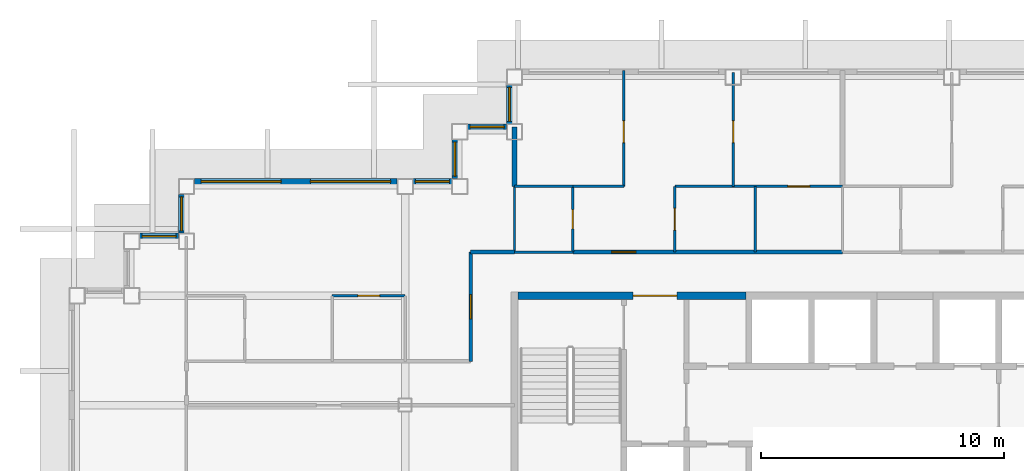
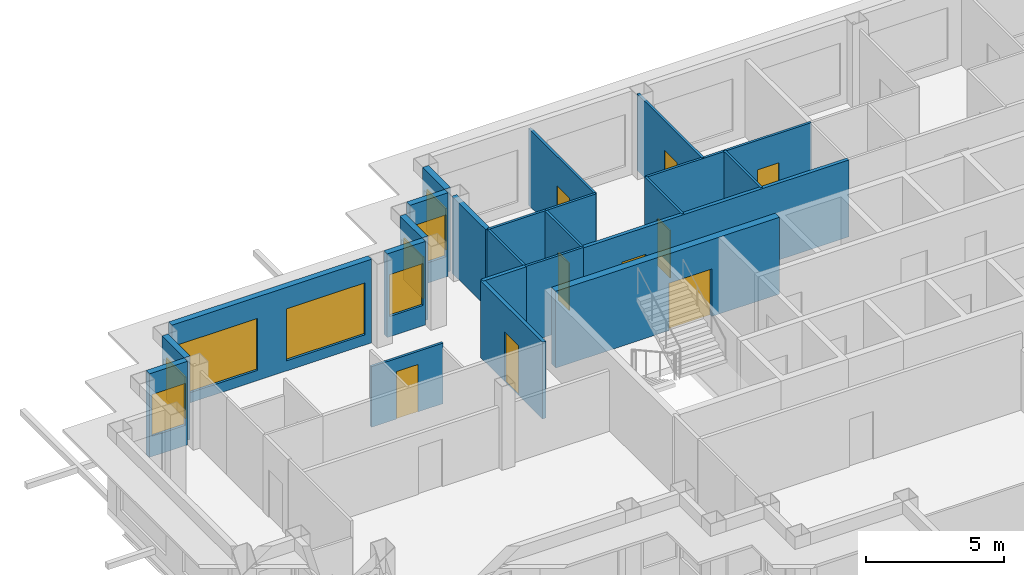
# One storey, part 6 of 12: 23 walls, 9 doors, 8 windows, 17 openings.
"""IFC4 building model written with IfcOpenShell, lengths in metres."""

from ifc_helpers import new_model, si_unit, direction, frame, frame_2d, origin, place, context, subcontext, project, spatial, rectangle, extrude, material, layer, layer_set, type_object, element, fill, save


model = new_model("IFC4")

# Units and contexts
model_context = context("Model", 3, precision=1e-05, world=origin(), true_north=direction((0.0, 1.0)))
body_context = subcontext(model_context, "Body", "Model", "MODEL_VIEW")
ifc_project = project(units=[si_unit("LENGTHUNIT", "METRE"), si_unit("AREAUNIT", "SQUARE_METRE"), si_unit("VOLUMEUNIT", "CUBIC_METRE"), si_unit("PLANEANGLEUNIT", "RADIAN"), si_unit("MASSUNIT", "GRAM", prefix="KILO")], contexts=[model_context])

# Site, building, storey
site_placement = place(None, origin())
site = spatial("IfcSite", under=ifc_project, at=site_placement, CompositionType="ELEMENT")
building_placement = place(site_placement, origin())
building = spatial("IfcBuilding", under=site, at=building_placement, Name="Caravel Reach Hotel and Residences", CompositionType="ELEMENT")
storey_placement = place(building_placement, frame((0.0, 0.0, 218.300048828125)))
storey = spatial("IfcBuildingStorey", under=building, at=storey_placement, Name="L55", CompositionType="ELEMENT", Elevation=218.300048828125)

# Walls
ifc_material_1 = material(Name="Gypsum board on steel stud", Category="steel")
ifc_layer_1 = layer(ifc_material_1, 0.10009765625)
ifc_layer_set_1 = layer_set([ifc_layer_1], Name="Bathroom pod wall 100 mm")
wall_type_1 = type_object("IfcWallType", Name="Bathroom pod wall 100 mm", PredefinedType="PARTITIONING", material=ifc_layer_set_1)
for number, where, z_axis, x_axis, name in (
    (1, (18.0, 33.300048828125, 0.0), (0.0, 0.0, 1.0), (1.0, 0.0, 0.0), "L55 wall w081"),
    (2, (18.0, 36.0, 0.0), (0.0, 0.0, 1.0), (1.0, 0.0, 0.0), "L55 wall w084"),
):
    element("IfcWall", number, at=place(storey_placement, frame(where, z_axis=z_axis, x_axis=x_axis)), inside=storey, type_object=wall_type_1, Name=name, PredefinedType="PARTITIONING", context=body_context, shape_type="SweptSolid", body=[
        extrude(rectangle(XDim=2.39990234375, YDim=0.10009765625, at=frame_2d((1.199951171875, 0.0))), origin(), (0.0, 0.0, 1.0), 3.39990234375),
    ])
wall_1_placement = place(storey_placement, frame((18.0, 33.301025390625, 0.0), z_axis=(0.0, 0.0, 1.0), x_axis=(0.0, 1.0, 0.0)))
element("IfcWall", 3, at=wall_1_placement, inside=storey, type_object=wall_type_1, Name="L55 wall w090", PredefinedType="PARTITIONING", context=body_context, shape_type="SweptSolid", body=[
    extrude(rectangle(XDim=2.698974609375, YDim=0.10009765625, at=frame_2d((1.349609375, 0.0))), origin(), (0.0, 0.0, 1.0), 3.39990234375),
])

# Wall, opening, door
wall_2_placement = place(storey_placement, frame((20.39990234375, 33.300048828125, 0.0), z_axis=(0.0, 0.0, 1.0), x_axis=(0.0, 1.0, 0.0)))
wall_2 = element("IfcWall", 4, at=wall_2_placement, inside=storey, type_object=wall_type_1, Name="L55 wall w091", PredefinedType="PARTITIONING", context=body_context, shape_type="SweptSolid", body=[
    extrude(rectangle(XDim=2.699951171875, YDim=0.10009765625, at=frame_2d((1.35009765625, 0.0))), origin(), (0.0, 0.0, 1.0), 3.39990234375),
])
opening_1_placement = place(wall_2_placement, frame((0.949951171875, 0.0, 0.0)))
opening_1 = element("IfcOpeningElement", 5, at=opening_1_placement, cuts=wall_2, Name="Opening D55-018", PredefinedType="OPENING", context=body_context, shape_type="SweptSolid", body=[
    extrude(rectangle(XDim=0.800048828125, YDim=2.10009765625, at=frame_2d((0.39990234375, 1.050048828125))), frame((0.0, 0.06005859375, 0.0), z_axis=(0.0, -1.0, 0.0), x_axis=(1.0, 0.0, 0.0)), (0.0, 0.0, 1.0), 0.1201171875),
])
ifc_material_2 = material(Name="Timber and steel door leaf", Category="steel")
door_type_1 = type_object("IfcDoorType", Name="Bathroom door 800 x 2100", OperationType="SINGLE_SWING_LEFT", PredefinedType="DOOR", material=ifc_material_2)
door_1_placement = place(opening_1_placement, origin())
door_1 = element("IfcDoor", 6, at=door_1_placement, inside=storey, type_object=door_type_1, Name="door D55-018", OperationType="SINGLE_SWING_RIGHT", OverallHeight=2.10009765625, OverallWidth=0.800048828125, PredefinedType="DOOR", context=body_context, shape_type="SweptSolid", body=[
    extrude(rectangle(XDim=0.800048828125, YDim=2.10009765625, at=frame_2d((0.39990234375, 1.050048828125))), frame((0.0, 0.02490234375, 0.0), z_axis=(0.0, -1.0, 0.0), x_axis=(1.0, 0.0, 0.0)), (0.0, 0.0, 1.0), 0.050048828125),
])
fill(opening_1, door_1)

ifc_material_3 = material(Name="Concrete C60", Category="concrete")
ifc_layer_2 = layer(ifc_material_3, 0.300048828125)
ifc_layer_set_2 = layer_set([ifc_layer_2], Name="Core wall 300 mm EI 120")
wall_type_2 = type_object("IfcWallType", Name="Core wall 300 mm EI 120", PredefinedType="SHEAR", material=ifc_layer_set_2)
wall_3_placement = place(storey_placement, frame((18.14990234375, 31.5, 0.0), z_axis=(0.0, 0.0, 1.0), x_axis=(1.0, 0.0, 0.0)))
wall_3 = element("IfcWall", 7, at=wall_3_placement, inside=storey, type_object=wall_type_2, Name="L55 core wall N1", PredefinedType="SHEAR", context=body_context, shape_type="SweptSolid", body=[
    extrude(rectangle(XDim=9.367919921875, YDim=0.300048828125, at=frame_2d((4.68408203125, 0.0))), origin(), (0.0, 0.0, 1.0), 3.39990234375),
])
opening_2_placement = place(wall_3_placement, frame((4.735595703125, 0.0, 0.0)))
opening_2 = element("IfcOpeningElement", 8, at=opening_2_placement, cuts=wall_3, Name="Opening D55-015", PredefinedType="OPENING", context=body_context, shape_type="SweptSolid", body=[
    extrude(rectangle(XDim=1.800048828125, YDim=2.10009765625, at=frame_2d((0.89990234375, 1.050048828125))), frame((0.0, 0.159912109375, 0.0), z_axis=(0.0, -1.0, 0.0), x_axis=(1.0, 0.0, 0.0)), (0.0, 0.0, 1.0), 0.320068359375),
])
ifc_material_4 = material(Name="Steel fire door leaf", Category="steel")
door_type_2 = type_object("IfcDoorType", Name="Fire lobby door pair 1800 x 2100 EI 90", OperationType="DOUBLE_DOOR_SINGLE_SWING", PredefinedType="DOOR", material=ifc_material_4)
door_2_placement = place(opening_2_placement, origin())
door_2 = element("IfcDoor", 9, at=door_2_placement, inside=storey, type_object=door_type_2, Name="lobby N door pair to corridor", OperationType="DOUBLE_DOOR_SINGLE_SWING", OverallHeight=2.10009765625, OverallWidth=1.800048828125, PredefinedType="DOOR", context=body_context, shape_type="SweptSolid", body=[
    extrude(rectangle(XDim=1.800048828125, YDim=2.10009765625, at=frame_2d((0.89990234375, 1.050048828125))), frame((0.0, 0.02490234375, 0.0), z_axis=(0.0, -1.0, 0.0), x_axis=(1.0, 0.0, 0.0)), (0.0, 0.0, 1.0), 0.050048828125),
])
fill(opening_2, door_2)

ifc_material_5 = material(Name="Gypsum board on steel stud, fire-rated", Category="steel")
ifc_layer_3 = layer(ifc_material_5, 0.14990234375)
ifc_layer_set_3 = layer_set([ifc_layer_3], Name="Corridor wall 150 mm EI 60")
wall_type_3 = type_object("IfcWallType", Name="Corridor wall 150 mm EI 60", PredefinedType="PARTITIONING", material=ifc_layer_set_3)
wall_4_placement = place(storey_placement, frame((20.39990234375, 33.300048828125, 0.0), z_axis=(0.0, 0.0, 1.0), x_axis=(1.0, 0.0, 0.0)))
wall_4 = element("IfcWall", 10, at=wall_4_placement, inside=storey, type_object=wall_type_3, Name="L55 wall w011", PredefinedType="PARTITIONING", context=body_context, shape_type="SweptSolid", body=[
    extrude(rectangle(XDim=11.10009765625, YDim=0.14990234375, at=frame_2d((5.550048828125, 0.0))), origin(), (0.0, 0.0, 1.0), 3.39990234375),
])
opening_3_placement = place(wall_4_placement, frame((1.60009765625, 0.0, 0.0)))
opening_3 = element("IfcOpeningElement", 11, at=opening_3_placement, cuts=wall_4, Name="Opening D55-017", PredefinedType="OPENING", context=body_context, shape_type="SweptSolid", body=[
    extrude(rectangle(XDim=1.0, YDim=2.199951171875, at=frame_2d((0.5, 1.10009765625))), frame((0.0, 0.0849609375, 0.0), z_axis=(0.0, -1.0, 0.0), x_axis=(1.0, 0.0, 0.0)), (0.0, 0.0, 1.0), 0.169921875),
])
ifc_material_6 = material(Name="Steel fire door leaf", Category="steel")
door_type_3 = type_object("IfcDoorType", Name="Flat entrance door 1000 x 2200 EI 60", OperationType="SINGLE_SWING_LEFT", PredefinedType="DOOR", material=ifc_material_6)
door_3_placement = place(opening_3_placement, origin())
door_3 = element("IfcDoor", 12, at=door_3_placement, inside=storey, type_object=door_type_3, Name="door D55-017", OperationType="SINGLE_SWING_LEFT", OverallHeight=2.199951171875, OverallWidth=1.0, PredefinedType="DOOR", context=body_context, shape_type="SweptSolid", body=[
    extrude(rectangle(XDim=1.0, YDim=2.199951171875, at=frame_2d((0.5, 1.10009765625))), frame((0.0, 0.02490234375, 0.0), z_axis=(0.0, -1.0, 0.0), x_axis=(1.0, 0.0, 0.0)), (0.0, 0.0, 1.0), 0.050048828125),
])
fill(opening_3, door_3)

# Wall
wall_5_placement = place(storey_placement, frame((16.199951171875, 33.300048828125, 0.0), z_axis=(0.0, 0.0, 1.0), x_axis=(1.0, 0.0, 0.0)))
element("IfcWall", 13, at=wall_5_placement, inside=storey, type_object=wall_type_3, Name="L55 wall w017", PredefinedType="PARTITIONING", context=body_context, shape_type="SweptSolid", body=[
    extrude(rectangle(XDim=1.799072265625, YDim=0.14990234375, at=frame_2d((0.8994140625, 0.0))), origin(), (0.0, 0.0, 1.0), 3.39990234375),
])

# Wall, opening, door
wall_6_placement = place(storey_placement, frame((16.199951171875, 28.801025390625, 0.0), z_axis=(0.0, 0.0, 1.0), x_axis=(0.0, 1.0, 0.0)))
wall_6 = element("IfcWall", 14, at=wall_6_placement, inside=storey, type_object=wall_type_3, Name="L55 wall w019", PredefinedType="PARTITIONING", context=body_context, shape_type="SweptSolid", body=[
    extrude(rectangle(XDim=4.4990234375, YDim=0.14990234375, at=frame_2d((2.24951171875, 0.0))), origin(), (0.0, 0.0, 1.0), 3.39990234375),
])
opening_4_placement = place(wall_6_placement, frame((1.74951171875, 0.0, 0.0)))
opening_4 = element("IfcOpeningElement", 15, at=opening_4_placement, cuts=wall_6, Name="Opening D55-029", PredefinedType="OPENING", context=body_context, shape_type="SweptSolid", body=[
    extrude(rectangle(XDim=1.0, YDim=2.199951171875, at=frame_2d((0.5, 1.10009765625))), frame((0.0, 0.0849609375, 0.0), z_axis=(0.0, -1.0, 0.0), x_axis=(1.0, 0.0, 0.0)), (0.0, 0.0, 1.0), 0.169921875),
])
door_4_placement = place(opening_4_placement, origin())
door_4 = element("IfcDoor", 16, at=door_4_placement, inside=storey, type_object=door_type_3, Name="door D55-029", OperationType="SINGLE_SWING_LEFT", OverallHeight=2.199951171875, OverallWidth=1.0, PredefinedType="DOOR", context=body_context, shape_type="SweptSolid", body=[
    extrude(rectangle(XDim=1.0, YDim=2.199951171875, at=frame_2d((0.5, 1.10009765625))), frame((0.0, 0.02490234375, 0.0), z_axis=(0.0, -1.0, 0.0), x_axis=(1.0, 0.0, 0.0)), (0.0, 0.0, 1.0), 0.050048828125),
])
fill(opening_4, door_4)

# Wall, opening, window
ifc_material_7 = material(Name="Insulated rainscreen wall, aluminium cladding", Category="aluminium")
ifc_layer_4 = layer(ifc_material_7, 0.25)
ifc_layer_set_4 = layer_set([ifc_layer_4], Name="EW1 Tower rainscreen wall")
wall_type_4 = type_object("IfcWallType", Name="EW1 Tower rainscreen wall", PredefinedType="SOLIDWALL", material=ifc_layer_set_4)
wall_7_placement = place(storey_placement, frame((17.800048828125, 40.175048828125, 0.0), z_axis=(0.0, 0.0, 1.0), x_axis=(0.0, -1.0, 0.0)))
wall_7 = element("IfcWall", 17, at=wall_7_placement, inside=storey, type_object=wall_type_4, Name="External wall L55 W12.1", PredefinedType="SOLIDWALL", context=body_context, shape_type="SweptSolid", body=[
    extrude(rectangle(XDim=1.60009765625, YDim=0.25, at=frame_2d((0.800048828125, 0.0))), origin(), (0.0, 0.0, 1.0), 3.699951171875),
])
opening_5_placement = place(wall_7_placement, frame((0.10009765625, 0.0, 0.89990234375)))
opening_5 = element("IfcOpeningElement", 18, at=opening_5_placement, cuts=wall_7, Name="Opening WN22", PredefinedType="OPENING", context=body_context, shape_type="SweptSolid", body=[
    extrude(rectangle(XDim=1.39990234375, YDim=1.85009765625, at=frame_2d((0.699951171875, 0.925048828125))), frame((0.0, 0.135009765625, 0.0), z_axis=(0.0, -1.0, 0.0), x_axis=(1.0, 0.0, 0.0)), (0.0, 0.0, 1.0), 0.27001953125),
])
ifc_material_8 = material(Name="Dark low-e glazing in black aluminium frame", Category="aluminium")
window_type_1 = type_object("IfcWindowType", Name="Residence bedroom window 1400 x 1850", PartitioningType="SINGLE_PANEL", PredefinedType="WINDOW", material=ifc_material_8)
window_1_placement = place(opening_5_placement, origin())
window_1 = element("IfcWindow", 19, at=window_1_placement, inside=storey, type_object=window_type_1, Name="Window L55 W12.1.1", OverallHeight=1.85009765625, OverallWidth=1.39990234375, PartitioningType="SINGLE_PANEL", PredefinedType="WINDOW", context=body_context, shape_type="SweptSolid", body=[
    extrude(rectangle(XDim=1.39990234375, YDim=1.85009765625, at=frame_2d((0.699951171875, 0.925048828125))), frame((0.0, 0.030029296875, 0.0), z_axis=(0.0, -1.0, 0.0), x_axis=(1.0, 0.0, 0.0)), (0.0, 0.0, 1.0), 0.06005859375),
])
fill(opening_5, window_1)

wall_8_placement = place(storey_placement, frame((17.675048828125, 38.449951171875, 0.0), z_axis=(0.0, 0.0, 1.0), x_axis=(-1.0, 0.0, 0.0)))
wall_8 = element("IfcWall", 20, at=wall_8_placement, inside=storey, type_object=wall_type_4, Name="External wall L55 N13.1", PredefinedType="SOLIDWALL", context=body_context, shape_type="SweptSolid", body=[
    extrude(rectangle(XDim=1.60009765625, YDim=0.25, at=frame_2d((0.800048828125, 0.0))), origin(), (0.0, 0.0, 1.0), 3.699951171875),
])
opening_6_placement = place(wall_8_placement, frame((0.10009765625, 0.0, 0.89990234375)))
opening_6 = element("IfcOpeningElement", 21, at=opening_6_placement, cuts=wall_8, Name="Opening WN22", PredefinedType="OPENING", context=body_context, shape_type="SweptSolid", body=[
    extrude(rectangle(XDim=1.39990234375, YDim=1.85009765625, at=frame_2d((0.699951171875, 0.925048828125))), frame((0.0, 0.135009765625, 0.0), z_axis=(0.0, -1.0, 0.0), x_axis=(1.0, 0.0, 0.0)), (0.0, 0.0, 1.0), 0.27001953125),
])
window_2_placement = place(opening_6_placement, origin())
window_2 = element("IfcWindow", 22, at=window_2_placement, inside=storey, type_object=window_type_1, Name="Window L55 N13.1.1", OverallHeight=1.85009765625, OverallWidth=1.39990234375, PartitioningType="SINGLE_PANEL", PredefinedType="WINDOW", context=body_context, shape_type="SweptSolid", body=[
    extrude(rectangle(XDim=1.39990234375, YDim=1.85009765625, at=frame_2d((0.699951171875, 0.925048828125))), frame((0.0, 0.030029296875, 0.0), z_axis=(0.0, -1.0, 0.0), x_axis=(1.0, 0.0, 0.0)), (0.0, 0.0, 1.0), 0.06005859375),
])
fill(opening_6, window_2)

wall_9_placement = place(storey_placement, frame((15.550048828125, 37.925048828125, 0.0), z_axis=(0.0, 0.0, 1.0), x_axis=(0.0, -1.0, 0.0)))
wall_9 = element("IfcWall", 23, at=wall_9_placement, inside=storey, type_object=wall_type_4, Name="External wall L55 W14.1", PredefinedType="SOLIDWALL", context=body_context, shape_type="SweptSolid", body=[
    extrude(rectangle(XDim=1.60009765625, YDim=0.25, at=frame_2d((0.800048828125, 0.0))), origin(), (0.0, 0.0, 1.0), 3.699951171875),
])
opening_7_placement = place(wall_9_placement, frame((0.10009765625, 0.0, 0.89990234375)))
opening_7 = element("IfcOpeningElement", 24, at=opening_7_placement, cuts=wall_9, Name="Opening WN22", PredefinedType="OPENING", context=body_context, shape_type="SweptSolid", body=[
    extrude(rectangle(XDim=1.39990234375, YDim=1.85009765625, at=frame_2d((0.699951171875, 0.925048828125))), frame((0.0, 0.135009765625, 0.0), z_axis=(0.0, -1.0, 0.0), x_axis=(1.0, 0.0, 0.0)), (0.0, 0.0, 1.0), 0.27001953125),
])
window_3_placement = place(opening_7_placement, origin())
window_3 = element("IfcWindow", 25, at=window_3_placement, inside=storey, type_object=window_type_1, Name="Window L55 W14.1.1", OverallHeight=1.85009765625, OverallWidth=1.39990234375, PartitioningType="SINGLE_PANEL", PredefinedType="WINDOW", context=body_context, shape_type="SweptSolid", body=[
    extrude(rectangle(XDim=1.39990234375, YDim=1.85009765625, at=frame_2d((0.699951171875, 0.925048828125))), frame((0.0, 0.030029296875, 0.0), z_axis=(0.0, -1.0, 0.0), x_axis=(1.0, 0.0, 0.0)), (0.0, 0.0, 1.0), 0.06005859375),
])
fill(opening_7, window_3)

wall_10_placement = place(storey_placement, frame((15.425048828125, 36.199951171875, 0.0), z_axis=(0.0, 0.0, 1.0), x_axis=(-1.0, 0.0, 0.0)))
wall_10 = element("IfcWall", 26, at=wall_10_placement, inside=storey, type_object=wall_type_4, Name="External wall L55 N15.1", PredefinedType="SOLIDWALL", context=body_context, shape_type="SweptSolid", body=[
    extrude(rectangle(XDim=1.60009765625, YDim=0.25, at=frame_2d((0.800048828125, 0.0))), origin(), (0.0, 0.0, 1.0), 3.699951171875),
])
opening_8_placement = place(wall_10_placement, frame((0.10009765625, 0.0, 0.89990234375)))
opening_8 = element("IfcOpeningElement", 27, at=opening_8_placement, cuts=wall_10, Name="Opening WN22", PredefinedType="OPENING", context=body_context, shape_type="SweptSolid", body=[
    extrude(rectangle(XDim=1.39990234375, YDim=1.85009765625, at=frame_2d((0.699951171875, 0.925048828125))), frame((0.0, 0.135009765625, 0.0), z_axis=(0.0, -1.0, 0.0), x_axis=(1.0, 0.0, 0.0)), (0.0, 0.0, 1.0), 0.27001953125),
])
window_4_placement = place(opening_8_placement, origin())
window_4 = element("IfcWindow", 28, at=window_4_placement, inside=storey, type_object=window_type_1, Name="Window L55 N15.1.1", OverallHeight=1.85009765625, OverallWidth=1.39990234375, PartitioningType="SINGLE_PANEL", PredefinedType="WINDOW", context=body_context, shape_type="SweptSolid", body=[
    extrude(rectangle(XDim=1.39990234375, YDim=1.85009765625, at=frame_2d((0.699951171875, 0.925048828125))), frame((0.0, 0.030029296875, 0.0), z_axis=(0.0, -1.0, 0.0), x_axis=(1.0, 0.0, 0.0)), (0.0, 0.0, 1.0), 0.06005859375),
])
fill(opening_8, window_4)

# Wall, openings, windows
wall_11_placement = place(storey_placement, frame((13.175048828125, 36.199951171875, 0.0), z_axis=(0.0, 0.0, 1.0), x_axis=(-1.0, 0.0, 0.0)))
wall_11 = element("IfcWall", 29, at=wall_11_placement, inside=storey, type_object=wall_type_4, Name="External wall L55 N15.2", PredefinedType="SOLIDWALL", context=body_context, shape_type="SweptSolid", body=[
    extrude(rectangle(XDim=8.35009765625, YDim=0.25, at=frame_2d((4.175048828125, 0.0))), origin(), (0.0, 0.0, 1.0), 3.699951171875),
])
opening_9_placement = place(wall_11_placement, frame((0.27490234375, 0.0, 0.449951171875)))
opening_9 = element("IfcOpeningElement", 30, at=opening_9_placement, cuts=wall_11, Name="Opening WN15", PredefinedType="OPENING", context=body_context, shape_type="SweptSolid", body=[
    extrude(rectangle(XDim=3.300048828125, YDim=2.300048828125, at=frame_2d((1.64990234375, 1.14990234375))), frame((0.0, 0.135009765625, 0.0), z_axis=(0.0, -1.0, 0.0), x_axis=(1.0, 0.0, 0.0)), (0.0, 0.0, 1.0), 0.27001953125),
])
opening_10_placement = place(wall_11_placement, frame((4.77490234375, 0.0, 0.449951171875)))
opening_10 = element("IfcOpeningElement", 31, at=opening_10_placement, cuts=wall_11, Name="Opening WN15", PredefinedType="OPENING", context=body_context, shape_type="SweptSolid", body=[
    extrude(rectangle(XDim=3.300048828125, YDim=2.300048828125, at=frame_2d((1.64990234375, 1.14990234375))), frame((0.0, 0.135009765625, 0.0), z_axis=(0.0, -1.0, 0.0), x_axis=(1.0, 0.0, 0.0)), (0.0, 0.0, 1.0), 0.27001953125),
])
ifc_material_9 = material(Name="Dark low-e glazing in black aluminium frame", Category="aluminium")
window_type_2 = type_object("IfcWindowType", Name="Residence living window 3300 x 2300", PartitioningType="SINGLE_PANEL", PredefinedType="WINDOW", material=ifc_material_9)
window_5_placement = place(opening_9_placement, origin())
window_5 = element("IfcWindow", 32, at=window_5_placement, inside=storey, type_object=window_type_2, Name="Window L55 N15.2.1", OverallHeight=2.300048828125, OverallWidth=3.300048828125, PartitioningType="SINGLE_PANEL", PredefinedType="WINDOW", context=body_context, shape_type="SweptSolid", body=[
    extrude(rectangle(XDim=3.300048828125, YDim=2.300048828125, at=frame_2d((1.64990234375, 1.14990234375))), frame((0.0, 0.030029296875, 0.0), z_axis=(0.0, -1.0, 0.0), x_axis=(1.0, 0.0, 0.0)), (0.0, 0.0, 1.0), 0.06005859375),
])
fill(opening_9, window_5)
window_6_placement = place(opening_10_placement, origin())
window_6 = element("IfcWindow", 33, at=window_6_placement, inside=storey, type_object=window_type_2, Name="Window L55 N15.2.2", OverallHeight=2.300048828125, OverallWidth=3.300048828125, PartitioningType="SINGLE_PANEL", PredefinedType="WINDOW", context=body_context, shape_type="SweptSolid", body=[
    extrude(rectangle(XDim=3.300048828125, YDim=2.300048828125, at=frame_2d((1.64990234375, 1.14990234375))), frame((0.0, 0.030029296875, 0.0), z_axis=(0.0, -1.0, 0.0), x_axis=(1.0, 0.0, 0.0)), (0.0, 0.0, 1.0), 0.06005859375),
])
fill(opening_10, window_6)

# Wall, opening, window
wall_12_placement = place(storey_placement, frame((4.300048828125, 35.675048828125, 0.0), z_axis=(0.0, 0.0, 1.0), x_axis=(0.0, -1.0, 0.0)))
wall_12 = element("IfcWall", 34, at=wall_12_placement, inside=storey, type_object=wall_type_4, Name="External wall L55 W16.1", PredefinedType="SOLIDWALL", context=body_context, shape_type="SweptSolid", body=[
    extrude(rectangle(XDim=1.60009765625, YDim=0.25, at=frame_2d((0.800048828125, 0.0))), origin(), (0.0, 0.0, 1.0), 3.699951171875),
])
opening_11_placement = place(wall_12_placement, frame((0.10009765625, 0.0, 0.89990234375)))
opening_11 = element("IfcOpeningElement", 35, at=opening_11_placement, cuts=wall_12, Name="Opening WN22", PredefinedType="OPENING", context=body_context, shape_type="SweptSolid", body=[
    extrude(rectangle(XDim=1.39990234375, YDim=1.85009765625, at=frame_2d((0.699951171875, 0.925048828125))), frame((0.0, 0.135009765625, 0.0), z_axis=(0.0, -1.0, 0.0), x_axis=(1.0, 0.0, 0.0)), (0.0, 0.0, 1.0), 0.27001953125),
])
window_7_placement = place(opening_11_placement, origin())
window_7 = element("IfcWindow", 36, at=window_7_placement, inside=storey, type_object=window_type_1, Name="Window L55 W16.1.1", OverallHeight=1.85009765625, OverallWidth=1.39990234375, PartitioningType="SINGLE_PANEL", PredefinedType="WINDOW", context=body_context, shape_type="SweptSolid", body=[
    extrude(rectangle(XDim=1.39990234375, YDim=1.85009765625, at=frame_2d((0.699951171875, 0.925048828125))), frame((0.0, 0.030029296875, 0.0), z_axis=(0.0, -1.0, 0.0), x_axis=(1.0, 0.0, 0.0)), (0.0, 0.0, 1.0), 0.06005859375),
])
fill(opening_11, window_7)

wall_13_placement = place(storey_placement, frame((4.175048828125, 33.949951171875, 0.0), z_axis=(0.0, 0.0, 1.0), x_axis=(-1.0, 0.0, 0.0)))
wall_13 = element("IfcWall", 37, at=wall_13_placement, inside=storey, type_object=wall_type_4, Name="External wall L55 N17.1", PredefinedType="SOLIDWALL", context=body_context, shape_type="SweptSolid", body=[
    extrude(rectangle(XDim=1.60009765625, YDim=0.25, at=frame_2d((0.800048828125, 0.0))), origin(), (0.0, 0.0, 1.0), 3.699951171875),
])
opening_12_placement = place(wall_13_placement, frame((0.10009765625, 0.0, 0.89990234375)))
opening_12 = element("IfcOpeningElement", 38, at=opening_12_placement, cuts=wall_13, Name="Opening WN22", PredefinedType="OPENING", context=body_context, shape_type="SweptSolid", body=[
    extrude(rectangle(XDim=1.39990234375, YDim=1.85009765625, at=frame_2d((0.699951171875, 0.925048828125))), frame((0.0, 0.135009765625, 0.0), z_axis=(0.0, -1.0, 0.0), x_axis=(1.0, 0.0, 0.0)), (0.0, 0.0, 1.0), 0.27001953125),
])
window_8_placement = place(opening_12_placement, origin())
window_8 = element("IfcWindow", 39, at=window_8_placement, inside=storey, type_object=window_type_1, Name="Window L55 N17.1.1", OverallHeight=1.85009765625, OverallWidth=1.39990234375, PartitioningType="SINGLE_PANEL", PredefinedType="WINDOW", context=body_context, shape_type="SweptSolid", body=[
    extrude(rectangle(XDim=1.39990234375, YDim=1.85009765625, at=frame_2d((0.699951171875, 0.925048828125))), frame((0.0, 0.030029296875, 0.0), z_axis=(0.0, -1.0, 0.0), x_axis=(1.0, 0.0, 0.0)), (0.0, 0.0, 1.0), 0.06005859375),
])
fill(opening_12, window_8)

# Wall, opening, door
ifc_material_10 = material(Name="Gypsum board on steel stud", Category="steel")
ifc_layer_5 = layer(ifc_material_10, 0.10009765625)
ifc_layer_set_5 = layer_set([ifc_layer_5], Name="Partition 100 mm")
wall_type_5 = type_object("IfcWallType", Name="Partition 100 mm", PredefinedType="PARTITIONING", material=ifc_layer_set_5)
wall_14_placement = place(storey_placement, frame((10.5, 31.5, 0.0), z_axis=(0.0, 0.0, 1.0), x_axis=(1.0, 0.0, 0.0)))
wall_14 = element("IfcWall", 40, at=wall_14_placement, inside=storey, type_object=wall_type_5, Name="L55 wall w036", PredefinedType="PARTITIONING", context=body_context, shape_type="SweptSolid", body=[
    extrude(rectangle(XDim=3.0, YDim=0.10009765625, at=frame_2d((1.5, 0.0))), origin(), (0.0, 0.0, 1.0), 2.679931640625),
])
opening_13_placement = place(wall_14_placement, frame((1.050048828125, 0.0, 0.0)))
opening_13 = element("IfcOpeningElement", 41, at=opening_13_placement, cuts=wall_14, Name="Opening D55-031", PredefinedType="OPENING", context=body_context, shape_type="SweptSolid", body=[
    extrude(rectangle(XDim=0.89990234375, YDim=2.10009765625, at=frame_2d((0.449951171875, 1.050048828125))), frame((0.0, 0.06005859375, 0.0), z_axis=(0.0, -1.0, 0.0), x_axis=(1.0, 0.0, 0.0)), (0.0, 0.0, 1.0), 0.1201171875),
])
ifc_material_11 = material(Name="Timber and steel door leaf", Category="steel")
door_type_4 = type_object("IfcDoorType", Name="Door 900 x 2100 timber", OperationType="SINGLE_SWING_LEFT", PredefinedType="DOOR", material=ifc_material_11)
door_5_placement = place(opening_13_placement, origin())
door_5 = element("IfcDoor", 42, at=door_5_placement, inside=storey, type_object=door_type_4, Name="door D55-031", OperationType="SINGLE_SWING_LEFT", OverallHeight=2.10009765625, OverallWidth=0.89990234375, PredefinedType="DOOR", context=body_context, shape_type="SweptSolid", body=[
    extrude(rectangle(XDim=0.89990234375, YDim=2.10009765625, at=frame_2d((0.449951171875, 1.050048828125))), frame((0.0, 0.02490234375, 0.0), z_axis=(0.0, -1.0, 0.0), x_axis=(1.0, 0.0, 0.0)), (0.0, 0.0, 1.0), 0.050048828125),
])
fill(opening_13, door_5)

# Wall
wall_15_placement = place(storey_placement, frame((20.39990234375, 36.0, 0.0), z_axis=(0.0, 0.0, 1.0), x_axis=(1.0, 0.0, 0.0)))
element("IfcWall", 43, at=wall_15_placement, inside=storey, type_object=wall_type_5, Name="L55 wall w038", PredefinedType="PARTITIONING", context=body_context, shape_type="SweptSolid", body=[
    extrude(rectangle(XDim=2.10009765625, YDim=0.10009765625, at=frame_2d((1.050048828125, 0.0))), origin(), (0.0, 0.0, 1.0), 3.39990234375),
])

# Wall, opening, door
wall_16_placement = place(storey_placement, frame((24.60009765625, 36.0, 0.0), z_axis=(0.0, 0.0, 1.0), x_axis=(1.0, 0.0, 0.0)))
wall_16 = element("IfcWall", 44, at=wall_16_placement, inside=storey, type_object=wall_type_5, Name="L55 wall w040", PredefinedType="PARTITIONING", context=body_context, shape_type="SweptSolid", body=[
    extrude(rectangle(XDim=6.89990234375, YDim=0.10009765625, at=frame_2d((3.449951171875, 0.0))), origin(), (0.0, 0.0, 1.0), 3.39990234375),
])
opening_14_placement = place(wall_16_placement, frame((4.650146484375, 0.0, 0.0)))
opening_14 = element("IfcOpeningElement", 45, at=opening_14_placement, cuts=wall_16, Name="Opening D55-020", PredefinedType="OPENING", context=body_context, shape_type="SweptSolid", body=[
    extrude(rectangle(XDim=0.89990234375, YDim=2.10009765625, at=frame_2d((0.449951171875, 1.050048828125))), frame((0.0, 0.06005859375, 0.0), z_axis=(0.0, -1.0, 0.0), x_axis=(1.0, 0.0, 0.0)), (0.0, 0.0, 1.0), 0.1201171875),
])
door_6_placement = place(opening_14_placement, origin())
door_6 = element("IfcDoor", 46, at=door_6_placement, inside=storey, type_object=door_type_4, Name="door D55-020", OperationType="SINGLE_SWING_RIGHT", OverallHeight=2.10009765625, OverallWidth=0.89990234375, PredefinedType="DOOR", context=body_context, shape_type="SweptSolid", body=[
    extrude(rectangle(XDim=0.89990234375, YDim=2.10009765625, at=frame_2d((0.449951171875, 1.050048828125))), frame((0.0, 0.02490234375, 0.0), z_axis=(0.0, -1.0, 0.0), x_axis=(1.0, 0.0, 0.0)), (0.0, 0.0, 1.0), 0.050048828125),
])
fill(opening_14, door_6)

wall_17_placement = place(storey_placement, frame((22.5, 36.0, 0.0), z_axis=(0.0, 0.0, 1.0), x_axis=(0.0, 1.0, 0.0)))
wall_17 = element("IfcWall", 47, at=wall_17_placement, inside=storey, type_object=wall_type_5, Name="L55 wall w051", PredefinedType="PARTITIONING", context=body_context, shape_type="SweptSolid", body=[
    extrude(rectangle(XDim=4.764892578125, YDim=0.10009765625, at=frame_2d((2.38232421875, 0.0))), origin(), (0.0, 0.0, 1.0), 3.39990234375),
])
opening_15_placement = place(wall_17_placement, frame((1.800048828125, 0.0, 0.0)))
opening_15 = element("IfcOpeningElement", 48, at=opening_15_placement, cuts=wall_17, Name="Opening D55-021", PredefinedType="OPENING", context=body_context, shape_type="SweptSolid", body=[
    extrude(rectangle(XDim=0.89990234375, YDim=2.10009765625, at=frame_2d((0.449951171875, 1.050048828125))), frame((0.0, 0.06005859375, 0.0), z_axis=(0.0, -1.0, 0.0), x_axis=(1.0, 0.0, 0.0)), (0.0, 0.0, 1.0), 0.1201171875),
])
door_7_placement = place(opening_15_placement, origin())
door_7 = element("IfcDoor", 49, at=door_7_placement, inside=storey, type_object=door_type_4, Name="door D55-021", OperationType="SINGLE_SWING_LEFT", OverallHeight=2.10009765625, OverallWidth=0.89990234375, PredefinedType="DOOR", context=body_context, shape_type="SweptSolid", body=[
    extrude(rectangle(XDim=0.89990234375, YDim=2.10009765625, at=frame_2d((0.449951171875, 1.050048828125))), frame((0.0, 0.02490234375, 0.0), z_axis=(0.0, -1.0, 0.0), x_axis=(1.0, 0.0, 0.0)), (0.0, 0.0, 1.0), 0.050048828125),
])
fill(opening_15, door_7)

wall_18_placement = place(storey_placement, frame((24.60009765625, 33.300048828125, 0.0), z_axis=(0.0, 0.0, 1.0), x_axis=(0.0, 1.0, 0.0)))
wall_18 = element("IfcWall", 50, at=wall_18_placement, inside=storey, type_object=wall_type_5, Name="L55 wall w052", PredefinedType="PARTITIONING", context=body_context, shape_type="SweptSolid", body=[
    extrude(rectangle(XDim=2.699951171875, YDim=0.10009765625, at=frame_2d((1.35009765625, 0.0))), origin(), (0.0, 0.0, 1.0), 3.39990234375),
])
opening_16_placement = place(wall_18_placement, frame((0.89990234375, 0.0, 0.0)))
opening_16 = element("IfcOpeningElement", 51, at=opening_16_placement, cuts=wall_18, Name="Opening D55-019", PredefinedType="OPENING", context=body_context, shape_type="SweptSolid", body=[
    extrude(rectangle(XDim=0.89990234375, YDim=2.10009765625, at=frame_2d((0.449951171875, 1.050048828125))), frame((0.0, 0.06005859375, 0.0), z_axis=(0.0, -1.0, 0.0), x_axis=(1.0, 0.0, 0.0)), (0.0, 0.0, 1.0), 0.1201171875),
])
door_8_placement = place(opening_16_placement, origin())
door_8 = element("IfcDoor", 52, at=door_8_placement, inside=storey, type_object=door_type_4, Name="door D55-019", OperationType="SINGLE_SWING_RIGHT", OverallHeight=2.10009765625, OverallWidth=0.89990234375, PredefinedType="DOOR", context=body_context, shape_type="SweptSolid", body=[
    extrude(rectangle(XDim=0.89990234375, YDim=2.10009765625, at=frame_2d((0.449951171875, 1.050048828125))), frame((0.0, 0.02490234375, 0.0), z_axis=(0.0, -1.0, 0.0), x_axis=(1.0, 0.0, 0.0)), (0.0, 0.0, 1.0), 0.050048828125),
])
fill(opening_16, door_8)

wall_19_placement = place(storey_placement, frame((27.0, 36.0, 0.0), z_axis=(0.0, 0.0, 1.0), x_axis=(0.0, 1.0, 0.0)))
wall_19 = element("IfcWall", 53, at=wall_19_placement, inside=storey, type_object=wall_type_5, Name="L55 wall w053", PredefinedType="PARTITIONING", context=body_context, shape_type="SweptSolid", body=[
    extrude(rectangle(XDim=4.68994140625, YDim=0.10009765625, at=frame_2d((2.344970703125, 0.0))), origin(), (0.0, 0.0, 1.0), 3.39990234375),
])
opening_17_placement = place(wall_19_placement, frame((1.800048828125, 0.0, 0.0)))
opening_17 = element("IfcOpeningElement", 54, at=opening_17_placement, cuts=wall_19, Name="Opening D55-022", PredefinedType="OPENING", context=body_context, shape_type="SweptSolid", body=[
    extrude(rectangle(XDim=0.89990234375, YDim=2.10009765625, at=frame_2d((0.449951171875, 1.050048828125))), frame((0.0, 0.06005859375, 0.0), z_axis=(0.0, -1.0, 0.0), x_axis=(1.0, 0.0, 0.0)), (0.0, 0.0, 1.0), 0.1201171875),
])
door_9_placement = place(opening_17_placement, origin())
door_9 = element("IfcDoor", 55, at=door_9_placement, inside=storey, type_object=door_type_4, Name="door D55-022", OperationType="SINGLE_SWING_RIGHT", OverallHeight=2.10009765625, OverallWidth=0.89990234375, PredefinedType="DOOR", context=body_context, shape_type="SweptSolid", body=[
    extrude(rectangle(XDim=0.89990234375, YDim=2.10009765625, at=frame_2d((0.449951171875, 1.050048828125))), frame((0.0, 0.02490234375, 0.0), z_axis=(0.0, -1.0, 0.0), x_axis=(1.0, 0.0, 0.0)), (0.0, 0.0, 1.0), 0.050048828125),
])
fill(opening_17, door_9)

# Walls
wall_20_placement = place(storey_placement, frame((27.89990234375, 33.300048828125, 0.0), z_axis=(0.0, 0.0, 1.0), x_axis=(0.0, 1.0, 0.0)))
element("IfcWall", 56, at=wall_20_placement, inside=storey, type_object=wall_type_5, Name="L55 wall w054", PredefinedType="PARTITIONING", context=body_context, shape_type="SweptSolid", body=[
    extrude(rectangle(XDim=2.699951171875, YDim=0.10009765625, at=frame_2d((1.35009765625, 0.0))), origin(), (0.0, 0.0, 1.0), 3.39990234375),
])
ifc_material_12 = material(Name="Autoclaved aerated block wall")
ifc_layer_6 = layer(ifc_material_12, 0.199951171875)
ifc_layer_set_6 = layer_set([ifc_layer_6], Name="Party wall 200 mm EI 60")
wall_type_6 = type_object("IfcWallType", Name="Party wall 200 mm EI 60", PredefinedType="PARTITIONING", material=ifc_layer_set_6)
wall_21_placement = place(storey_placement, frame((18.0, 36.0, 0.0), z_axis=(0.0, 0.0, 1.0), x_axis=(0.0, 1.0, 0.0)))
element("IfcWall", 57, at=wall_21_placement, inside=storey, type_object=wall_type_6, Name="L55 wall w072", PredefinedType="PARTITIONING", context=body_context, shape_type="SweptSolid", body=[
    extrude(rectangle(XDim=2.43994140625, YDim=0.199951171875, at=frame_2d((1.219970703125, 0.0))), origin(), (0.0, 0.0, 1.0), 3.39990234375),
])

save(model, "model.ifc")
